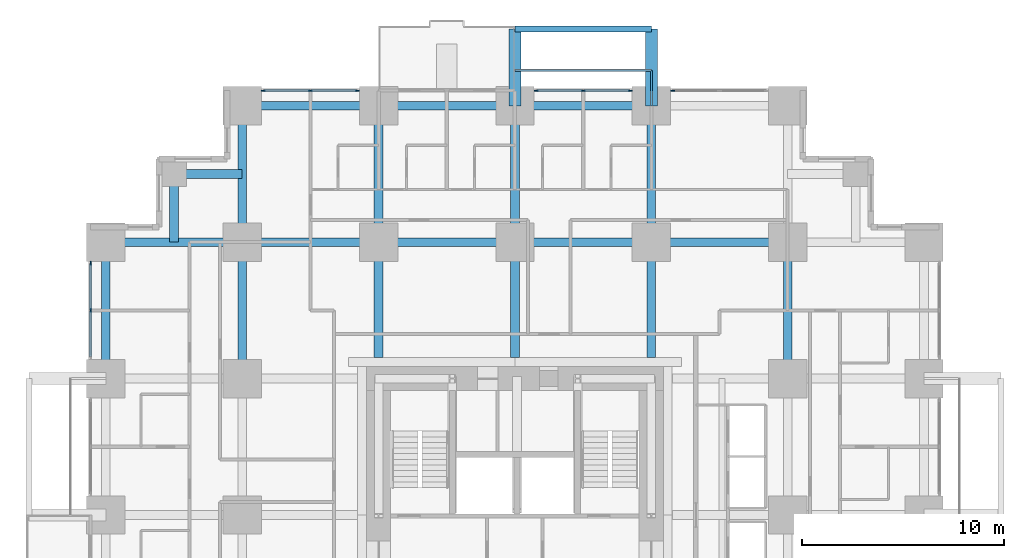
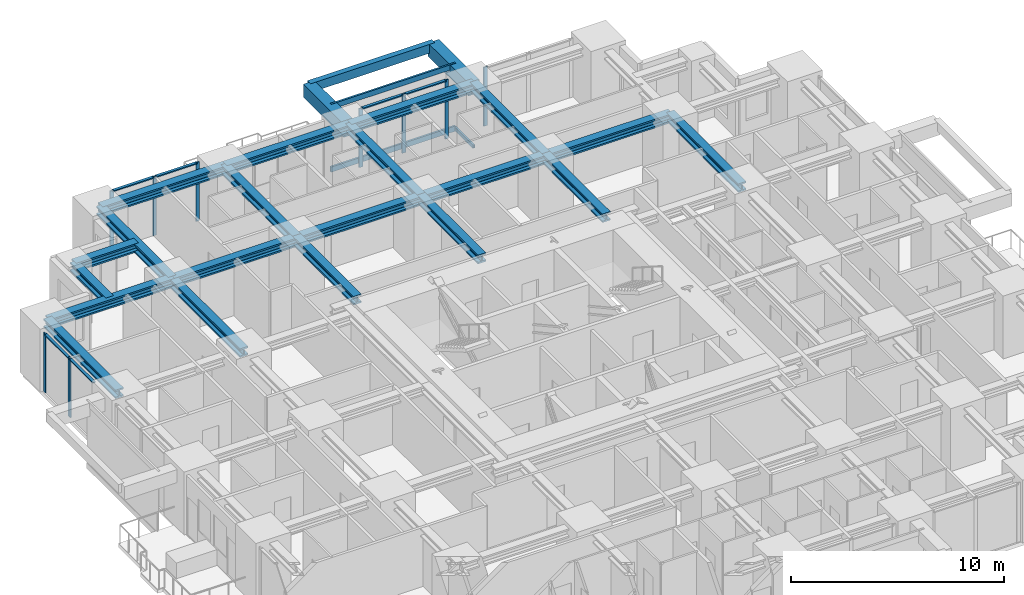
# One storey, part 5 of 14: 23 beams, 18 members, 4 elements without a shape of their own.
"""IFC4 building model written with IfcOpenShell, lengths in metres."""

from ifc_helpers import new_model, si_unit, direction, frame, origin, origin_2d, place, context, subcontext, project, spatial, rectangle, hollow_rectangle, i_section, extrude, material, material_profile, profile_set, type_object, element, aggregate, save


model = new_model("IFC4")

# Units and contexts
model_context = context("Model", 3, precision=1e-05, world=origin(), true_north=direction((0.0, 1.0)))
body_context = subcontext(model_context, "Body", "Model", "MODEL_VIEW")
ifc_project = project(units=[si_unit("LENGTHUNIT", "METRE"), si_unit("AREAUNIT", "SQUARE_METRE"), si_unit("VOLUMEUNIT", "CUBIC_METRE"), si_unit("PLANEANGLEUNIT", "RADIAN"), si_unit("MASSUNIT", "GRAM", prefix="KILO")], contexts=[model_context])

# Site, building, storey
site_placement = place(None, origin())
site = spatial("IfcSite", under=ifc_project, at=site_placement, CompositionType="ELEMENT")
building_placement = place(site_placement, origin())
building = spatial("IfcBuilding", under=site, at=building_placement, Name="Nyansa Garden Tower", CompositionType="ELEMENT")
storey_placement = place(building_placement, frame((0.0, 0.0, 39.60009765625)))
storey = spatial("IfcBuildingStorey", under=building, at=storey_placement, Name="L10", CompositionType="ELEMENT", Elevation=39.60009765625)

# Beams
ifc_material_1 = material(Name="Concrete C70/85", Category="concrete")
ifc_material_profile_1 = material_profile(ifc_material_1, rectangle(XDim=0.60009765625, YDim=0.75, at=origin_2d()), Name="RC 600x750")
ifc_profile_set_1 = profile_set([ifc_material_profile_1], Name="Concrete C70/85")
beam_type_1 = type_object("IfcBeamType", Name="Balcony cantilever beam CB1 RC 600x750", PredefinedType="BEAM", material=ifc_profile_set_1)
for number, where, z_axis, x_axis, name in (
    (1, (20.25, 40.5, 2.98486328125), (0.0, 1.0, 0.0), (-1.0, 0.0, 0.0), "Balcony cantilever beam L11"),
    (2, (27.0, 40.5, 2.98486328125), (0.0, 1.0, 0.0), (-1.0, 0.0, 0.0), "Balcony cantilever beam L11"),
):
    element("IfcBeam", number, at=place(storey_placement, frame(where, z_axis=z_axis, x_axis=x_axis)), inside=storey, type_object=beam_type_1, Name=name, PredefinedType="BEAM", context=body_context, shape_type="SweptSolid", body=[
        extrude(rectangle(XDim=0.60009765625, YDim=0.75, at=origin_2d()), origin(), (0.0, 0.0, 1.0), 3.800048828125),
    ])
ifc_material_2 = material(Name="Concrete C70/85", Category="concrete")
ifc_material_profile_2 = material_profile(ifc_material_2, rectangle(XDim=0.300048828125, YDim=0.5, at=origin_2d()), Name="RC 300x500")
ifc_profile_set_2 = profile_set([ifc_material_profile_2], Name="Concrete C70/85")
beam_type_2 = type_object("IfcBeamType", Name="Balcony edge beam BE1 RC 300x500", PredefinedType="BEAM", material=ifc_profile_set_2)
beam_1_placement = place(storey_placement, frame((20.25, 44.300048828125, 3.10986328125), z_axis=(1.0, 0.0, 0.0), x_axis=(0.0, 1.0, 0.0)))
element("IfcBeam", 3, at=beam_1_placement, inside=storey, type_object=beam_type_2, Name="Balcony edge beam L11", PredefinedType="BEAM", context=body_context, shape_type="SweptSolid", body=[
    extrude(rectangle(XDim=0.300048828125, YDim=0.5, at=origin_2d()), origin(), (0.0, 0.0, 1.0), 6.75),
])

# Curtain wall, members
ifc_material_3 = material(Name="Black anodised aluminium, dark tinted double glazing", Category="aluminium")
curtain_wall_type = type_object("IfcCurtainWallType", Name="Inner skin curtain wall ISW-A", PredefinedType="USERDEFINED", material=ifc_material_3)
curtain_wall_1_placement = place(storey_placement, origin())
curtain_wall_1 = element("IfcCurtainWall", 4, at=curtain_wall_1_placement, inside=storey, type_object=curtain_wall_type, Name="Inner skin curtain wall L10 N", ObjectType="UNITISED CURTAIN WALL", PredefinedType="USERDEFINED")
ifc_material_4 = material(Name="Black anodised aluminium", Category="aluminium")
ifc_material_profile_3 = material_profile(ifc_material_4, rectangle(XDim=0.06494140625, YDim=0.199951171875, at=origin_2d()), Name="Mullion 200x65")
ifc_profile_set_3 = profile_set([ifc_material_profile_3], Name="Black anodised aluminium")
member_type_1 = type_object("IfcMemberType", Name="Mullion ISW-A 200x65", PredefinedType="MULLION", material=ifc_profile_set_3)
member_1_placement = place(storey_placement, frame((12.449951171875, 41.25, 0.0), z_axis=(0.0, 0.0, 1.0), x_axis=(0.0, -1.0, 0.0)))
member_1 = element("IfcMember", 5, at=member_1_placement, type_object=member_type_1, Name="ISW-A mullion 1", PredefinedType="MULLION", context=body_context, shape_type="SweptSolid", body=[
    extrude(rectangle(XDim=0.06494140625, YDim=0.199951171875, at=origin_2d()), origin(), (0.0, 0.0, 1.0), 3.375),
])
member_2_placement = place(storey_placement, frame((10.125, 41.25, 0.0), z_axis=(0.0, 0.0, 1.0), x_axis=(0.0, -1.0, 0.0)))
member_2 = element("IfcMember", 6, at=member_2_placement, type_object=member_type_1, Name="ISW-A mullion 2", PredefinedType="MULLION", context=body_context, shape_type="SweptSolid", body=[
    extrude(rectangle(XDim=0.06494140625, YDim=0.199951171875, at=origin_2d()), origin(), (0.0, 0.0, 1.0), 3.375),
])
member_3_placement = place(storey_placement, frame((7.800048828125, 41.25, 0.0), z_axis=(0.0, 0.0, 1.0), x_axis=(0.0, -1.0, 0.0)))
member_3 = element("IfcMember", 7, at=member_3_placement, type_object=member_type_1, Name="ISW-A mullion 3", PredefinedType="MULLION", context=body_context, shape_type="SweptSolid", body=[
    extrude(rectangle(XDim=0.06494140625, YDim=0.199951171875, at=origin_2d()), origin(), (0.0, 0.0, 1.0), 3.375),
])

# Curtain wall, member
curtain_wall_2_placement = place(storey_placement, origin())
curtain_wall_2 = element("IfcCurtainWall", 8, at=curtain_wall_2_placement, inside=storey, type_object=curtain_wall_type, Name="Inner skin curtain wall L10 N", ObjectType="UNITISED CURTAIN WALL", PredefinedType="USERDEFINED")
member_4_placement = place(storey_placement, frame((28.050048828125, 41.25, 0.0), z_axis=(0.0, 0.0, 1.0), x_axis=(0.0, -1.0, 0.0)))
member_4 = element("IfcMember", 9, at=member_4_placement, type_object=member_type_1, Name="ISW-A mullion 3", PredefinedType="MULLION", context=body_context, shape_type="SweptSolid", body=[
    extrude(rectangle(XDim=0.06494140625, YDim=0.199951171875, at=origin_2d()), origin(), (0.0, 0.0, 1.0), 3.375),
])
aggregate(curtain_wall_2, [member_4])

# Curtain wall, members
curtain_wall_3_placement = place(storey_placement, origin())
curtain_wall_3 = element("IfcCurtainWall", 10, at=curtain_wall_3_placement, inside=storey, type_object=curtain_wall_type, Name="Inner skin curtain wall L10 N", ObjectType="UNITISED CURTAIN WALL", PredefinedType="USERDEFINED")
member_5_placement = place(storey_placement, frame((25.949951171875, 41.25, 0.0), z_axis=(0.0, 0.0, 1.0), x_axis=(0.0, -1.0, 0.0)))
member_5 = element("IfcMember", 11, at=member_5_placement, type_object=member_type_1, Name="ISW-A mullion 1", PredefinedType="MULLION", context=body_context, shape_type="SweptSolid", body=[
    extrude(rectangle(XDim=0.06494140625, YDim=0.199951171875, at=origin_2d()), origin(), (0.0, 0.0, 1.0), 3.375),
])
member_6_placement = place(storey_placement, frame((23.625, 41.25, 0.0), z_axis=(0.0, 0.0, 1.0), x_axis=(0.0, -1.0, 0.0)))
member_6 = element("IfcMember", 12, at=member_6_placement, type_object=member_type_1, Name="ISW-A mullion 2", PredefinedType="MULLION", context=body_context, shape_type="SweptSolid", body=[
    extrude(rectangle(XDim=0.06494140625, YDim=0.199951171875, at=origin_2d()), origin(), (0.0, 0.0, 1.0), 3.375),
])
member_7_placement = place(storey_placement, frame((21.300048828125, 41.25, 0.0), z_axis=(0.0, 0.0, 1.0), x_axis=(0.0, -1.0, 0.0)))
member_7 = element("IfcMember", 13, at=member_7_placement, type_object=member_type_1, Name="ISW-A mullion 3", PredefinedType="MULLION", context=body_context, shape_type="SweptSolid", body=[
    extrude(rectangle(XDim=0.06494140625, YDim=0.199951171875, at=origin_2d()), origin(), (0.0, 0.0, 1.0), 3.375),
])

curtain_wall_4_placement = place(storey_placement, origin())
curtain_wall_4 = element("IfcCurtainWall", 14, at=curtain_wall_4_placement, inside=storey, type_object=curtain_wall_type, Name="Inner skin curtain wall L10 W", ObjectType="UNITISED CURTAIN WALL", PredefinedType="USERDEFINED")
member_8_placement = place(storey_placement, frame((-0.75, 32.699951171875, 0.0), z_axis=(0.0, 0.0, 1.0), x_axis=(1.0, 0.0, 0.0)))
member_8 = element("IfcMember", 15, at=member_8_placement, type_object=member_type_1, Name="ISW-A mullion 1", PredefinedType="MULLION", context=body_context, shape_type="SweptSolid", body=[
    extrude(rectangle(XDim=0.06494140625, YDim=0.199951171875, at=origin_2d()), origin(), (0.0, 0.0, 1.0), 3.375),
])
member_9_placement = place(storey_placement, frame((-0.75, 30.375, 0.0), z_axis=(0.0, 0.0, 1.0), x_axis=(1.0, 0.0, 0.0)))
member_9 = element("IfcMember", 16, at=member_9_placement, type_object=member_type_1, Name="ISW-A mullion 2", PredefinedType="MULLION", context=body_context, shape_type="SweptSolid", body=[
    extrude(rectangle(XDim=0.06494140625, YDim=0.199951171875, at=origin_2d()), origin(), (0.0, 0.0, 1.0), 3.375),
])

# Members
ifc_material_5 = material(Name="Steel S355, black powder coated", Category="steel")
ifc_material_profile_4 = material_profile(ifc_material_5, hollow_rectangle(XDim=0.10009765625, YDim=0.199951171875, WallThickness=0.008056640625, at=origin_2d()), Name="RHS 200x100x8")
ifc_profile_set_4 = profile_set([ifc_material_profile_4], Name="Steel S355, black powder coated")
member_type_2 = type_object("IfcMemberType", Name="Outer skin bracket arm RHS 200x100x8", PredefinedType="USERDEFINED", material=ifc_profile_set_4)
member_10_placement = place(storey_placement, frame((27.0, 40.5, -0.375), z_axis=(0.0, 1.0, 0.0), x_axis=(-1.0, 0.0, 0.0)))
element("IfcMember", 17, at=member_10_placement, inside=storey, type_object=member_type_2, Name="Outer skin bracket arm", ObjectType="OUTER SKIN BRACKET", PredefinedType="USERDEFINED", context=body_context, shape_type="SweptSolid", body=[
    extrude(hollow_rectangle(XDim=0.10009765625, YDim=0.199951171875, WallThickness=0.008056640625, at=origin_2d()), origin(), (0.0, 0.0, 1.0), 1.75),
])
ifc_material_6 = material(Name="Steel S355, black powder coated", Category="steel")
ifc_material_profile_5 = material_profile(ifc_material_6, hollow_rectangle(XDim=0.10009765625, YDim=0.300048828125, WallThickness=0.010009765625, at=origin_2d()), Name="RHS 300x100x10")
ifc_profile_set_5 = profile_set([ifc_material_profile_5], Name="Steel S355, black powder coated")
member_type_3 = type_object("IfcMemberType", Name="Outer skin rail RHS 300x100x10", PredefinedType="USERDEFINED", material=ifc_profile_set_5)
for number, where, z_axis, x_axis, name in (
    (18, (20.25, 42.25, -0.375), (1.0, 0.0, 0.0), (0.0, 1.0, 0.0), "Outer skin rail L10"),
    (19, (20.25, 42.25, 3.224853515625), (1.0, 0.0, 0.0), (0.0, 1.0, 0.0), "Outer skin rail L10 head"),
):
    element("IfcMember", number, at=place(storey_placement, frame(where, z_axis=z_axis, x_axis=x_axis)), inside=storey, type_object=member_type_3, Name=name, ObjectType="OUTER SKIN RAIL", PredefinedType="USERDEFINED", context=body_context, shape_type="SweptSolid", body=[
        extrude(hollow_rectangle(XDim=0.10009765625, YDim=0.300048828125, WallThickness=0.010009765625, at=origin_2d()), origin(), (0.0, 0.0, 1.0), 6.75),
    ])

# Beams
ifc_material_7 = material(Name="Steel S355", Category="steel")
ifc_material_profile_6 = material_profile(ifc_material_7, i_section(OverallWidth=0.431884765625, OverallDepth=0.498046875, WebThickness=0.0556640625, FlangeThickness=0.0888671875, FilletRadius=0.014892578125, at=origin_2d()), Name="HD 400x744")
ifc_profile_set_6 = profile_set([ifc_material_profile_6], Name="Steel S355")
beam_type_3 = type_object("IfcBeamType", Name="Steel beam SBA1-744 HD 400x744", PredefinedType="BEAM", material=ifc_profile_set_6)
for number, where, z_axis, x_axis, name in (
    (20, (0.0, 33.75, 3.1259765625), (1.0, 0.0, 0.0), (0.0, 1.0, 0.0), "Steel beam 2/J-3/J L11"),
    (21, (6.75, 27.0, 3.1259765625), (0.0, 1.0, 0.0), (-1.0, 0.0, 0.0), "Steel beam 3/H-3/J L11"),
    (22, (6.75, 33.75, 3.1259765625), (0.0, 1.0, 0.0), (-1.0, 0.0, 0.0), "Steel beam 3/J-3/K L11"),
    (23, (6.75, 33.75, 3.1259765625), (1.0, 0.0, 0.0), (0.0, 1.0, 0.0), "Steel beam 3/J-4/J L11"),
):
    element("IfcBeam", number, at=place(storey_placement, frame(where, z_axis=z_axis, x_axis=x_axis)), inside=storey, type_object=beam_type_3, Name=name, PredefinedType="BEAM", context=body_context, shape_type="SweptSolid", body=[
        extrude(i_section(OverallWidth=0.431884765625, OverallDepth=0.498046875, WebThickness=0.0556640625, FlangeThickness=0.0888671875, FilletRadius=0.014892578125, at=origin_2d()), origin(), (0.0, 0.0, 1.0), 6.75),
    ])
beam_2_placement = place(storey_placement, frame((13.5, 28.050048828125, 3.1259765625), z_axis=(0.0, 1.0, 0.0), x_axis=(-1.0, 0.0, 0.0)))
element("IfcBeam", 24, at=beam_2_placement, inside=storey, type_object=beam_type_3, Name="Steel beam 4/28.050-4/J L11", PredefinedType="BEAM", context=body_context, shape_type="SweptSolid", body=[
    extrude(i_section(OverallWidth=0.431884765625, OverallDepth=0.498046875, WebThickness=0.0556640625, FlangeThickness=0.0888671875, FilletRadius=0.014892578125, at=origin_2d()), origin(), (0.0, 0.0, 1.0), 5.699951171875),
])
for number, where, z_axis, x_axis, name in (
    (25, (13.5, 33.75, 3.1259765625), (0.0, 1.0, 0.0), (-1.0, 0.0, 0.0), "Steel beam 4/J-4/K L11"),
    (26, (13.5, 33.75, 3.1259765625), (1.0, 0.0, 0.0), (0.0, 1.0, 0.0), "Steel beam 4/J-5/J L11"),
):
    element("IfcBeam", number, at=place(storey_placement, frame(where, z_axis=z_axis, x_axis=x_axis)), inside=storey, type_object=beam_type_3, Name=name, PredefinedType="BEAM", context=body_context, shape_type="SweptSolid", body=[
        extrude(i_section(OverallWidth=0.431884765625, OverallDepth=0.498046875, WebThickness=0.0556640625, FlangeThickness=0.0888671875, FilletRadius=0.014892578125, at=origin_2d()), origin(), (0.0, 0.0, 1.0), 6.75),
    ])
beam_3_placement = place(storey_placement, frame((20.25, 28.050048828125, 3.1259765625), z_axis=(0.0, 1.0, 0.0), x_axis=(-1.0, 0.0, 0.0)))
element("IfcBeam", 27, at=beam_3_placement, inside=storey, type_object=beam_type_3, Name="Steel beam 5/28.050-5/J L11", PredefinedType="BEAM", context=body_context, shape_type="SweptSolid", body=[
    extrude(i_section(OverallWidth=0.431884765625, OverallDepth=0.498046875, WebThickness=0.0556640625, FlangeThickness=0.0888671875, FilletRadius=0.014892578125, at=origin_2d()), origin(), (0.0, 0.0, 1.0), 5.699951171875),
])
for number, where, z_axis, x_axis, name in (
    (28, (20.25, 33.75, 3.1259765625), (0.0, 1.0, 0.0), (-1.0, 0.0, 0.0), "Steel beam 5/J-5/K L11"),
    (29, (20.25, 33.75, 3.1259765625), (1.0, 0.0, 0.0), (0.0, 1.0, 0.0), "Steel beam 5/J-6/J L11"),
):
    element("IfcBeam", number, at=place(storey_placement, frame(where, z_axis=z_axis, x_axis=x_axis)), inside=storey, type_object=beam_type_3, Name=name, PredefinedType="BEAM", context=body_context, shape_type="SweptSolid", body=[
        extrude(i_section(OverallWidth=0.431884765625, OverallDepth=0.498046875, WebThickness=0.0556640625, FlangeThickness=0.0888671875, FilletRadius=0.014892578125, at=origin_2d()), origin(), (0.0, 0.0, 1.0), 6.75),
    ])
beam_4_placement = place(storey_placement, frame((27.0, 28.050048828125, 3.1259765625), z_axis=(0.0, 1.0, 0.0), x_axis=(-1.0, 0.0, 0.0)))
element("IfcBeam", 30, at=beam_4_placement, inside=storey, type_object=beam_type_3, Name="Steel beam 6/28.050-6/J L11", PredefinedType="BEAM", context=body_context, shape_type="SweptSolid", body=[
    extrude(i_section(OverallWidth=0.431884765625, OverallDepth=0.498046875, WebThickness=0.0556640625, FlangeThickness=0.0888671875, FilletRadius=0.014892578125, at=origin_2d()), origin(), (0.0, 0.0, 1.0), 5.699951171875),
])
for number, where, z_axis, x_axis, name in (
    (31, (27.0, 33.75, 3.1259765625), (0.0, 1.0, 0.0), (-1.0, 0.0, 0.0), "Steel beam 6/J-6/K L11"),
    (32, (27.0, 33.75, 3.1259765625), (1.0, 0.0, 0.0), (0.0, 1.0, 0.0), "Steel beam 6/J-7/J L11"),
    (33, (33.75, 27.0, 3.1259765625), (0.0, 1.0, 0.0), (-1.0, 0.0, 0.0), "Steel beam 7/H-7/J L11"),
):
    element("IfcBeam", number, at=place(storey_placement, frame(where, z_axis=z_axis, x_axis=x_axis)), inside=storey, type_object=beam_type_3, Name=name, PredefinedType="BEAM", context=body_context, shape_type="SweptSolid", body=[
        extrude(i_section(OverallWidth=0.431884765625, OverallDepth=0.498046875, WebThickness=0.0556640625, FlangeThickness=0.0888671875, FilletRadius=0.014892578125, at=origin_2d()), origin(), (0.0, 0.0, 1.0), 6.75),
    ])
ifc_material_8 = material(Name="Steel S355", Category="steel")
ifc_material_profile_7 = material_profile(ifc_material_8, i_section(OverallWidth=0.431884765625, OverallDepth=0.498046875, WebThickness=0.0556640625, FlangeThickness=0.0888671875, FilletRadius=0.014892578125, at=origin_2d()), Name="HD 400x744")
ifc_profile_set_7 = profile_set([ifc_material_profile_7], Name="Steel S355")
beam_type_4 = type_object("IfcBeamType", Name="Steel beam SEBA-744 HD 400x744", PredefinedType="BEAM", material=ifc_profile_set_7)
for number, where, z_axis, x_axis, name in (
    (34, (0.0, 27.0, 3.1259765625), (0.0, 1.0, 0.0), (-1.0, 0.0, 0.0), "Steel edge beam 2/H-2/J L11"),
    (35, (6.75, 40.5, 3.1259765625), (1.0, 0.0, 0.0), (0.0, 1.0, 0.0), "Steel edge beam 3/K-4/K L11"),
    (36, (13.5, 40.5, 3.1259765625), (1.0, 0.0, 0.0), (0.0, 1.0, 0.0), "Steel edge beam 4/K-5/K L11"),
    (37, (20.25, 40.5, 3.1259765625), (1.0, 0.0, 0.0), (0.0, 1.0, 0.0), "Steel edge beam 5/K-6/K L11"),
):
    element("IfcBeam", number, at=place(storey_placement, frame(where, z_axis=z_axis, x_axis=x_axis)), inside=storey, type_object=beam_type_4, Name=name, PredefinedType="BEAM", context=body_context, shape_type="SweptSolid", body=[
        extrude(i_section(OverallWidth=0.431884765625, OverallDepth=0.498046875, WebThickness=0.0556640625, FlangeThickness=0.0888671875, FilletRadius=0.014892578125, at=origin_2d()), origin(), (0.0, 0.0, 1.0), 6.75),
    ])
ifc_material_9 = material(Name="Steel S355", Category="steel")
ifc_material_profile_8 = material_profile(ifc_material_9, i_section(OverallWidth=0.431884765625, OverallDepth=0.498046875, WebThickness=0.0556640625, FlangeThickness=0.0888671875, FilletRadius=0.014892578125, at=origin_2d()), Name="HD 400x744")
ifc_profile_set_8 = profile_set([ifc_material_profile_8], Name="Steel S355")
beam_type_5 = type_object("IfcBeamType", Name="Steel beam SSB1-744 HD 400x744", PredefinedType="BEAM", material=ifc_profile_set_8)
for number, where, z_axis, x_axis, name in (
    (38, (3.375, 37.125, 3.1259765625), (0.0, -1.0, 0.0), (1.0, 0.0, 0.0), "Steel step beam 3.375/37.125 L11"),
    (39, (3.375, 37.125, 3.1259765625), (1.0, 0.0, 0.0), (0.0, 1.0, 0.0), "Steel step beam 3.375/37.125 L11"),
):
    element("IfcBeam", number, at=place(storey_placement, frame(where, z_axis=z_axis, x_axis=x_axis)), inside=storey, type_object=beam_type_5, Name=name, PredefinedType="BEAM", context=body_context, shape_type="SweptSolid", body=[
        extrude(i_section(OverallWidth=0.431884765625, OverallDepth=0.498046875, WebThickness=0.0556640625, FlangeThickness=0.0888671875, FilletRadius=0.014892578125, at=origin_2d()), origin(), (0.0, 0.0, 1.0), 3.375),
    ])

# Member
ifc_material_10 = material(Name="Black anodised aluminium", Category="aluminium")
ifc_material_profile_9 = material_profile(ifc_material_10, rectangle(XDim=0.14990234375, YDim=0.06494140625, at=origin_2d()), Name="Transom 150x65")
ifc_profile_set_9 = profile_set([ifc_material_profile_9], Name="Black anodised aluminium")
member_type_4 = type_object("IfcMemberType", Name="Transom ISW-A 150x65", PredefinedType="USERDEFINED", material=ifc_profile_set_9)
member_11_placement = place(storey_placement, frame((12.41748046875, 41.25, 3.34228515625), z_axis=(-1.0, 0.0, 0.0), x_axis=(0.0, -1.0, 0.0)))
member_11 = element("IfcMember", 40, at=member_11_placement, type_object=member_type_4, Name="ISW-A transom 1", ObjectType="TRANSOM", PredefinedType="USERDEFINED", context=body_context, shape_type="SweptSolid", body=[
    extrude(rectangle(XDim=0.14990234375, YDim=0.06494140625, at=origin_2d()), origin(), (0.0, 0.0, 1.0), 2.260009765625),
])

member_12_placement = place(storey_placement, frame((10.092529296875, 41.25, 3.34228515625), z_axis=(-1.0, 0.0, 0.0), x_axis=(0.0, -1.0, 0.0)))
member_12 = element("IfcMember", 41, at=member_12_placement, type_object=member_type_4, Name="ISW-A transom 2", ObjectType="TRANSOM", PredefinedType="USERDEFINED", context=body_context, shape_type="SweptSolid", body=[
    extrude(rectangle(XDim=0.14990234375, YDim=0.06494140625, at=origin_2d()), origin(), (0.0, 0.0, 1.0), 2.260009765625),
])

aggregate(curtain_wall_1, [member_1, member_2, member_3, member_11, member_12])

member_13_placement = place(storey_placement, frame((25.91748046875, 41.25, 3.34228515625), z_axis=(-1.0, 0.0, 0.0), x_axis=(0.0, -1.0, 0.0)))
member_13 = element("IfcMember", 42, at=member_13_placement, type_object=member_type_4, Name="ISW-A transom 1", ObjectType="TRANSOM", PredefinedType="USERDEFINED", context=body_context, shape_type="SweptSolid", body=[
    extrude(rectangle(XDim=0.14990234375, YDim=0.06494140625, at=origin_2d()), origin(), (0.0, 0.0, 1.0), 2.260009765625),
])

member_14_placement = place(storey_placement, frame((23.592529296875, 41.25, 3.34228515625), z_axis=(-1.0, 0.0, 0.0), x_axis=(0.0, -1.0, 0.0)))
member_14 = element("IfcMember", 43, at=member_14_placement, type_object=member_type_4, Name="ISW-A transom 2", ObjectType="TRANSOM", PredefinedType="USERDEFINED", context=body_context, shape_type="SweptSolid", body=[
    extrude(rectangle(XDim=0.14990234375, YDim=0.06494140625, at=origin_2d()), origin(), (0.0, 0.0, 1.0), 2.260009765625),
])

aggregate(curtain_wall_3, [member_5, member_6, member_7, member_13, member_14])

member_15_placement = place(storey_placement, frame((-0.75, 32.66748046875, 3.34228515625), z_axis=(0.0, -1.0, 0.0), x_axis=(1.0, 0.0, 0.0)))
member_15 = element("IfcMember", 44, at=member_15_placement, type_object=member_type_4, Name="ISW-A transom 1", ObjectType="TRANSOM", PredefinedType="USERDEFINED", context=body_context, shape_type="SweptSolid", body=[
    extrude(rectangle(XDim=0.14990234375, YDim=0.06494140625, at=origin_2d()), origin(), (0.0, 0.0, 1.0), 2.260009765625),
])

member_16_placement = place(storey_placement, frame((-0.75, 30.342529296875, 3.34228515625), z_axis=(0.0, -1.0, 0.0), x_axis=(1.0, 0.0, 0.0)))
member_16 = element("IfcMember", 45, at=member_16_placement, type_object=member_type_4, Name="ISW-A transom 2", ObjectType="TRANSOM", PredefinedType="USERDEFINED", context=body_context, shape_type="SweptSolid", body=[
    extrude(rectangle(XDim=0.14990234375, YDim=0.06494140625, at=origin_2d()), origin(), (0.0, 0.0, 1.0), 2.260009765625),
])

aggregate(curtain_wall_4, [member_8, member_9, member_15, member_16])

save(model, "model.ifc")
